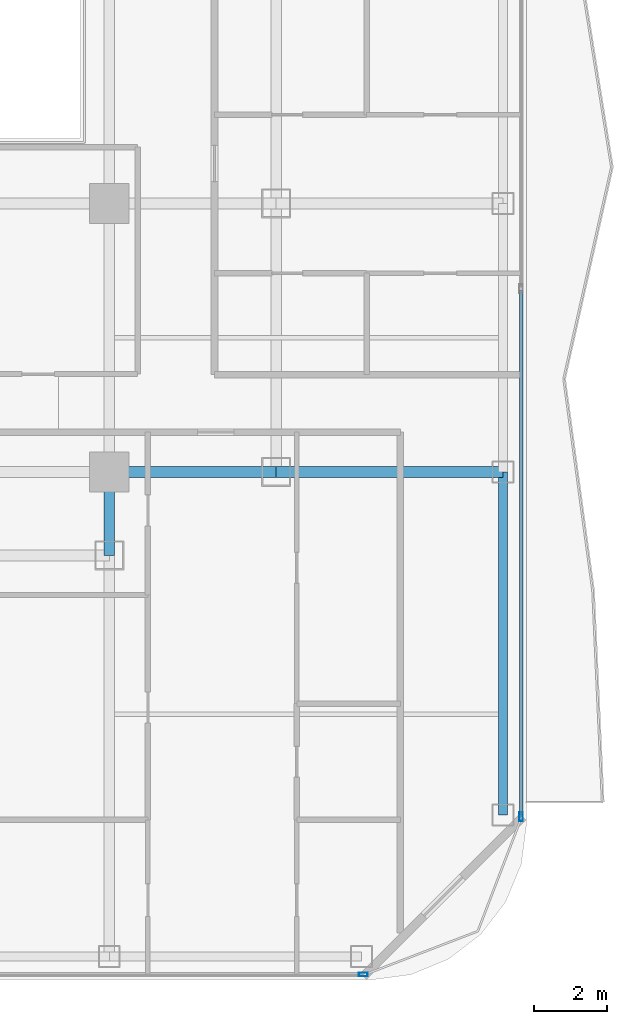
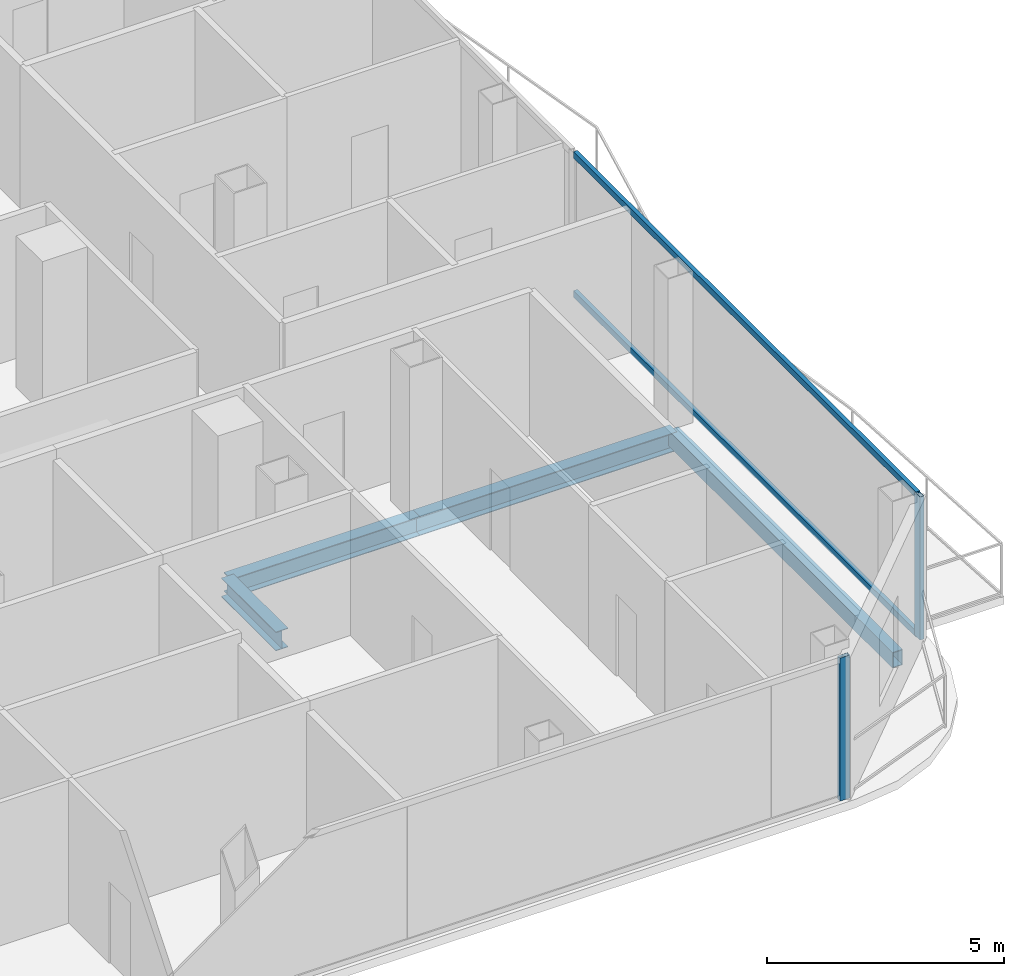
# One storey, part 10 of 27: 4 beams, 4 members, 2 elements without a shape of their own.
"""IFC4 building model written with IfcOpenShell, lengths in metres."""

from ifc_helpers import new_model, si_unit, direction, frame, origin, origin_2d, place, context, subcontext, project, spatial, hollow_rectangle, i_section, extrude, material, layer, layer_set, material_profile, profile_set, type_object, element, aggregate, save


model = new_model("IFC4")

# Units and contexts
model_context = context("Model", 3, precision=1e-05, world=origin(), true_north=direction((0.0, 1.0)))
body_context = subcontext(model_context, "Body", "Model", "MODEL_VIEW")
ifc_project = project(units=[si_unit("LENGTHUNIT", "METRE"), si_unit("AREAUNIT", "SQUARE_METRE"), si_unit("VOLUMEUNIT", "CUBIC_METRE"), si_unit("PLANEANGLEUNIT", "RADIAN"), si_unit("MASSUNIT", "GRAM", prefix="KILO")], contexts=[model_context])

# Site, building, storey
site_placement = place(None, origin())
site = spatial("IfcSite", under=ifc_project, at=site_placement, CompositionType="ELEMENT")
building_placement = place(site_placement, origin())
building = spatial("IfcBuilding", under=site, at=building_placement, Name="Khorvyn Point Tower", CompositionType="ELEMENT")
storey_placement = place(building_placement, frame((0.0, 0.0, 227.39990234375)))
storey = spatial("IfcBuildingStorey", under=building, at=storey_placement, Name="L56", CompositionType="ELEMENT", Elevation=227.39990234375)

# Curtain wall, member
ifc_material_1 = material(Name="Anodised aluminium 6063-T6 and laminated Low-E glass", Category="aluminium")
ifc_layer = layer(ifc_material_1, 0.18994140625)
ifc_layer_set = layer_set([ifc_layer], Name="Stick-Built Acoustic Curtain Wall CW-SYS-03")
curtain_wall_type = type_object("IfcCurtainWallType", Name="Stick-Built Acoustic Curtain Wall CW-SYS-03", PredefinedType="NOTDEFINED", material=ifc_layer_set)
curtain_wall_1_placement = place(storey_placement, origin())
curtain_wall_1 = element("IfcCurtainWall", 1, at=curtain_wall_1_placement, inside=storey, type_object=curtain_wall_type, Name="Curtain Wall", PredefinedType="NOTDEFINED")
ifc_material_2 = material(Name="Anodised aluminium 6063-T6", Category="aluminium")
ifc_material_profile_1 = material_profile(ifc_material_2, hollow_rectangle(XDim=0.10009765625, YDim=0.239990234375, WallThickness=0.0048828125, at=origin_2d()))
ifc_profile_set_1 = profile_set([ifc_material_profile_1], Name="Anodised aluminium 6063-T6 ALU-MUL-100x240")
member_type_1 = type_object("IfcMemberType", Name="Anodised Aluminium 6063-T6 Mullion ALU-MUL-100x240", PredefinedType="MULLION", material=ifc_profile_set_1)
member_1_placement = place(storey_placement, frame((21.800048828125, -28.64990234375, 0.0), z_axis=(0.0, 0.0, 1.0), x_axis=(0.0, -1.0, 0.0)))
member_1 = element("IfcMember", 2, at=member_1_placement, type_object=member_type_1, Name="Transom", PredefinedType="MULLION", context=body_context, shape_type="SweptSolid", body=[
    extrude(hollow_rectangle(XDim=0.10009765625, YDim=0.239990234375, WallThickness=0.0048828125, at=origin_2d()), origin(), (0.0, 0.0, 1.0), 3.68017578125),
])
aggregate(curtain_wall_1, [member_1])

# Curtain wall, members
curtain_wall_2_placement = place(storey_placement, origin())
curtain_wall_2 = element("IfcCurtainWall", 3, at=curtain_wall_2_placement, inside=storey, type_object=curtain_wall_type, Name="Curtain Wall", PredefinedType="NOTDEFINED")
member_2_placement = place(storey_placement, frame((26.14990234375, -24.300048828125, 0.0), z_axis=(0.0, 0.0, 1.0), x_axis=(1.0, 0.0, 0.0)))
member_2 = element("IfcMember", 4, at=member_2_placement, type_object=member_type_1, Name="Transom", PredefinedType="MULLION", context=body_context, shape_type="SweptSolid", body=[
    extrude(hollow_rectangle(XDim=0.10009765625, YDim=0.239990234375, WallThickness=0.0048828125, at=origin_2d()), origin(), (0.0, 0.0, 1.0), 3.68017578125),
])
ifc_material_profile_2 = material_profile(ifc_material_2, hollow_rectangle(XDim=0.10009765625, YDim=0.159912109375, WallThickness=0.00439453125, at=origin_2d()))
ifc_profile_set_2 = profile_set([ifc_material_profile_2], Name="Anodised aluminium 6063-T6 ALU-TRN-100x160")
member_type_2 = type_object("IfcMemberType", Name="Anodised Aluminium 6063-T6 Transom ALU-TRN-100x160", PredefinedType="USERDEFINED", material=ifc_profile_set_2)
member_3_placement = place(storey_placement, frame((26.14990234375, -9.803955078125, 0.050048828125), z_axis=(0.0, -1.0, 0.0), x_axis=(1.0, 0.0, 0.0)))
member_3 = element("IfcMember", 5, at=member_3_placement, type_object=member_type_2, Name="Transom", ObjectType="TRANSOM", PredefinedType="USERDEFINED", context=body_context, shape_type="SweptSolid", body=[
    extrude(hollow_rectangle(XDim=0.10009765625, YDim=0.159912109375, WallThickness=0.00439453125, at=origin_2d()), origin(), (0.0, 0.0, 1.0), 14.446044921875),
])
member_4_placement = place(storey_placement, frame((26.14990234375, -9.803955078125, 3.630126953125), z_axis=(0.0, -1.0, 0.0), x_axis=(1.0, 0.0, 0.0)))
member_4 = element("IfcMember", 6, at=member_4_placement, type_object=member_type_2, Name="Transom", ObjectType="TRANSOM", PredefinedType="USERDEFINED", context=body_context, shape_type="SweptSolid", body=[
    extrude(hollow_rectangle(XDim=0.10009765625, YDim=0.159912109375, WallThickness=0.00439453125, at=origin_2d()), origin(), (0.0, 0.0, 1.0), 14.446044921875),
])
aggregate(curtain_wall_2, [member_2, member_3, member_4])

# Beams
ifc_material_3 = material(Name="Steel S355", Category="steel")
ifc_material_profile_3 = material_profile(ifc_material_3, i_section(OverallWidth=0.300048828125, OverallDepth=0.488037109375, WebThickness=0.010986328125, FlangeThickness=0.01806640625, at=origin_2d()))
ifc_profile_set_3 = profile_set([ifc_material_profile_3], Name="Steel S355 H488x300x11x18")
beam_type_1 = type_object("IfcBeamType", Name="Steel S355 Spandrel H488x300x11x18", PredefinedType="SPANDREL", material=ifc_profile_set_3)
beam_1_placement = place(storey_placement, frame((14.800048828125, -14.800048828125, -0.4638671875), z_axis=(1.0, 0.0, 0.0), x_axis=(0.0, 1.0, 0.0)))
element("IfcBeam", 7, at=beam_1_placement, inside=storey, type_object=beam_type_1, Name="Beam", PredefinedType="SPANDREL", context=body_context, shape_type="SweptSolid", body=[
    extrude(i_section(OverallWidth=0.300048828125, OverallDepth=0.488037109375, WebThickness=0.010986328125, FlangeThickness=0.01806640625, at=origin_2d()), origin(), (0.0, 0.0, 1.0), 4.599853515625),
])
beam_2_placement = place(storey_placement, frame((19.39990234375, -14.800048828125, -0.4638671875), z_axis=(1.0, 0.0, 0.0), x_axis=(0.0, 1.0, 0.0)))
element("IfcBeam", 8, at=beam_2_placement, inside=storey, type_object=beam_type_1, Name="Beam", PredefinedType="SPANDREL", context=body_context, shape_type="SweptSolid", body=[
    extrude(i_section(OverallWidth=0.300048828125, OverallDepth=0.488037109375, WebThickness=0.010986328125, FlangeThickness=0.01806640625, at=origin_2d()), origin(), (0.0, 0.0, 1.0), 6.25),
])
beam_3_placement = place(storey_placement, frame((14.800048828125, -17.10009765625, -0.4638671875), z_axis=(0.0, 1.0, 0.0), x_axis=(-1.0, 0.0, 0.0)))
element("IfcBeam", 9, at=beam_3_placement, inside=storey, type_object=beam_type_1, Name="Beam", PredefinedType="SPANDREL", context=body_context, shape_type="SweptSolid", body=[
    extrude(i_section(OverallWidth=0.300048828125, OverallDepth=0.488037109375, WebThickness=0.010986328125, FlangeThickness=0.01806640625, at=origin_2d()), origin(), (0.0, 0.0, 1.0), 2.300048828125),
])
ifc_material_profile_4 = material_profile(ifc_material_3, hollow_rectangle(XDim=0.25, YDim=0.39990234375, WallThickness=0.01611328125, at=origin_2d()))
ifc_profile_set_4 = profile_set([ifc_material_profile_4], Name="Steel S355 RHS400x250x16")
beam_type_2 = type_object("IfcBeamType", Name="Steel S355 Spandrel RHS400x250x16", PredefinedType="SPANDREL", material=ifc_profile_set_4)
beam_4_placement = place(storey_placement, frame((25.64990234375, -24.25, -0.419921875), z_axis=(0.0, 1.0, 0.0), x_axis=(-1.0, 0.0, 0.0)))
element("IfcBeam", 10, at=beam_4_placement, inside=storey, type_object=beam_type_2, Name="Beam", PredefinedType="SPANDREL", context=body_context, shape_type="SweptSolid", body=[
    extrude(hollow_rectangle(XDim=0.25, YDim=0.39990234375, WallThickness=0.01611328125, at=origin_2d()), origin(), (0.0, 0.0, 1.0), 9.449951171875),
])

save(model, "model.ifc")
